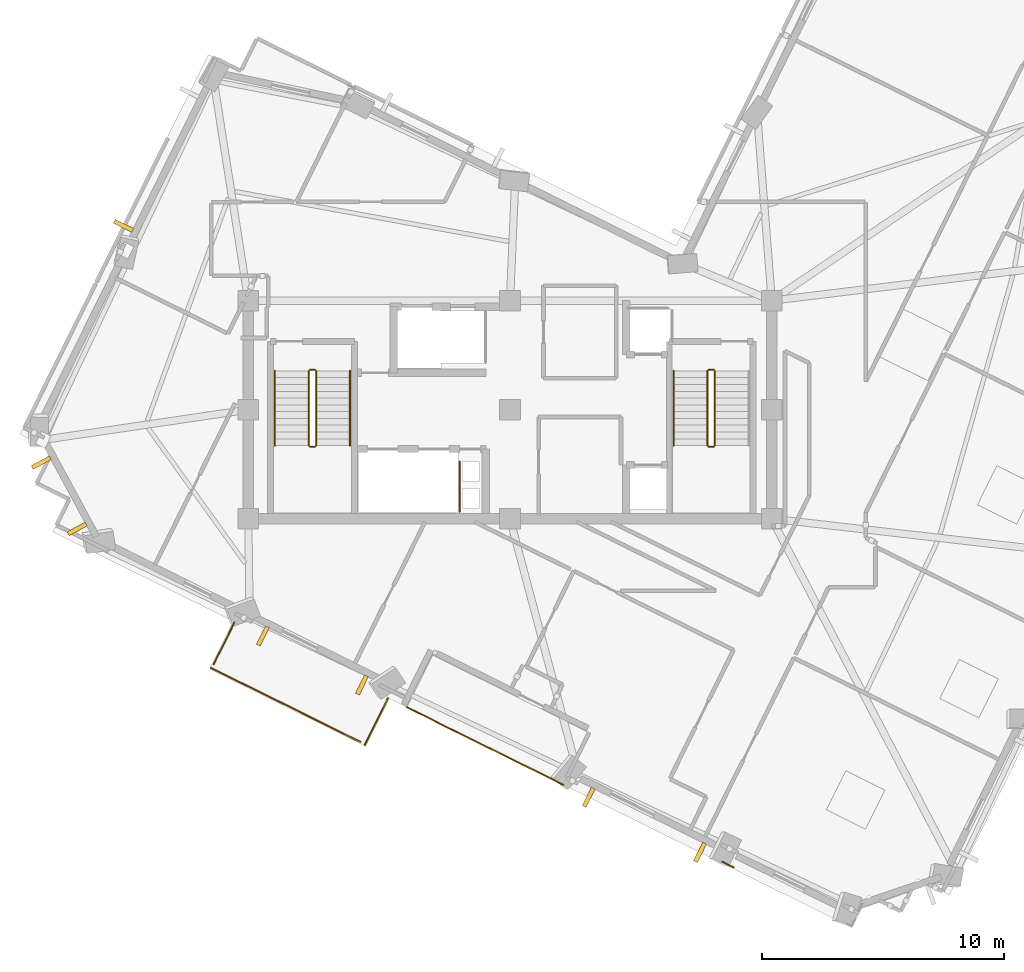
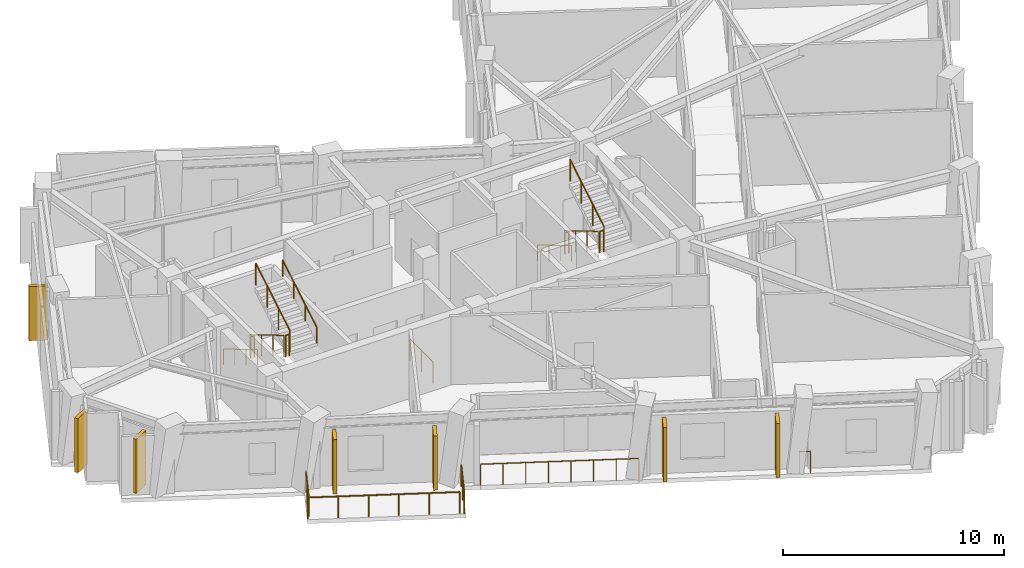
# One storey, part 8 of 11: 17 railings, 7 shading devices.
"""IFC4 building model written with IfcOpenShell, lengths in metres."""

from ifc_helpers import new_model, si_unit, direction, frame, origin, origin_2d, place, context, subcontext, project, spatial, rectangle, circle, extrude, material, layer, layer_set, type_object, element, save


model = new_model("IFC4")

# Units and contexts
model_context = context("Model", 3, precision=1e-05, world=origin(), true_north=direction((0.0, 1.0)))
body_context = subcontext(model_context, "Body", "Model", "MODEL_VIEW")
ifc_project = project(units=[si_unit("LENGTHUNIT", "METRE"), si_unit("AREAUNIT", "SQUARE_METRE"), si_unit("VOLUMEUNIT", "CUBIC_METRE"), si_unit("PLANEANGLEUNIT", "RADIAN"), si_unit("MASSUNIT", "GRAM", prefix="KILO")], contexts=[model_context])

# Site, building, storey
site_placement = place(None, origin())
site = spatial("IfcSite", under=ifc_project, at=site_placement, CompositionType="ELEMENT")
building_placement = place(site_placement, origin())
building = spatial("IfcBuilding", under=site, at=building_placement, Name="Gaonmaruhae Medical Tower", CompositionType="ELEMENT")
storey_placement = place(building_placement, frame((0.0, 0.0, 296.60009765625)))
storey = spatial("IfcBuildingStorey", under=building, at=storey_placement, Name="L71", CompositionType="ELEMENT", Elevation=296.60009765625)

# Railings
ifc_material_1 = material(Name="Stainless steel 316L and laminated safety glass", Category="steel")
ifc_layer = layer(ifc_material_1, 0.080078125)
ifc_layer_set = layer_set([ifc_layer], Name="Stainless steel 316L and laminated safety glass")
railing_type_1 = type_object("IfcRailingType", Name="GD-120 Outdoor Terrace Safety Glass & Steel Balustrade", PredefinedType="BALUSTRADE", material=ifc_layer_set)
railing_1_placement = place(storey_placement, frame((20.544921875, 0.02001953125, 0.0)))
element("IfcRailing", 1, at=railing_1_placement, inside=storey, type_object=railing_type_1, Name="L71 Terrace Safety Guard RL-SLB-L71-TER-04", PredefinedType="BALUSTRADE", context=body_context, shape_type="SweptSolid", body=[
    extrude(circle(Radius=0.02392578125, at=origin_2d()), frame((0.0, 0.0, 1.17578125), z_axis=(0.896095989401, -0.443860313364, 0.0), x_axis=(0.443860313364, 0.896095989401, 0.0)), (0.0, 0.0, 1.0), 7.199951171875),
    extrude(circle(Radius=0.02099609375, at=origin_2d()), origin(), (0.0, 0.0, 1.0), 1.15185546875),
    extrude(circle(Radius=0.02099609375, at=origin_2d()), frame((0.921630859375, -0.45654296875, 0.0)), (0.0, 0.0, 1.0), 1.15185546875),
    extrude(circle(Radius=0.02099609375, at=origin_2d()), frame((1.843505859375, -0.9130859375, 0.0)), (0.0, 0.0, 1.0), 1.15185546875),
    extrude(circle(Radius=0.02099609375, at=origin_2d()), frame((2.76513671875, -1.36962890625, 0.0)), (0.0, 0.0, 1.0), 1.15185546875),
    extrude(circle(Radius=0.02099609375, at=origin_2d()), frame((3.686767578125, -1.826171875, 0.0)), (0.0, 0.0, 1.0), 1.15185546875),
    extrude(circle(Radius=0.02099609375, at=origin_2d()), frame((4.6083984375, -2.28271484375, 0.0)), (0.0, 0.0, 1.0), 1.15185546875),
    extrude(circle(Radius=0.02099609375, at=origin_2d()), frame((5.5302734375, -2.7392578125, 0.0)), (0.0, 0.0, 1.0), 1.15185546875),
    extrude(circle(Radius=0.02099609375, at=origin_2d()), frame((6.451904296875, -3.19580078125, 0.0)), (0.0, 0.0, 1.0), 1.15185546875),
])
railing_2_placement = place(storey_placement, frame((34.02490234375, -6.578857421875, 0.0)))
element("IfcRailing", 2, at=railing_2_placement, inside=storey, type_object=railing_type_1, Name="L71 Perimeter Slab Edge Safety Balustrade 06", PredefinedType="BALUSTRADE", context=body_context, shape_type="SweptSolid", body=[
    extrude(circle(Radius=0.02392578125, at=origin_2d()), frame((0.0, 0.0, 1.17578125), z_axis=(-0.896113339276, 0.44382528451, 0.0), x_axis=(-0.44382528451, -0.896113339276, 0.0)), (0.0, 0.0, 1.0), 0.519287109375),
    extrude(circle(Radius=0.02099609375, at=origin_2d()), origin(), (0.0, 0.0, 1.0), 1.15185546875),
    extrude(circle(Radius=0.02099609375, at=origin_2d()), frame((-0.46533203125, 0.23046875, 0.0)), (0.0, 0.0, 1.0), 1.15185546875),
])
railing_3_placement = place(storey_placement, frame((19.75634765625, 0.38818359375, 0.0)))
element("IfcRailing", 3, at=railing_3_placement, inside=storey, type_object=railing_type_1, Name="L71 Perimeter Slab Edge Safety Balustrade 07", PredefinedType="BALUSTRADE", context=body_context, shape_type="SweptSolid", body=[
    extrude(circle(Radius=0.02392578125, at=origin_2d()), frame((0.0, 0.0, 1.17578125), z_axis=(-0.443864808989, -0.896093762584, 0.0), x_axis=(0.896093762584, -0.443864808989, 0.0)), (0.0, 0.0, 1.0), 2.159912109375),
    extrude(circle(Radius=0.02099609375, at=origin_2d()), origin(), (0.0, 0.0, 1.0), 1.15185546875),
    extrude(circle(Radius=0.02099609375, at=origin_2d()), frame((-0.4794921875, -0.9677734375, 0.0)), (0.0, 0.0, 1.0), 1.15185546875),
    extrude(circle(Radius=0.02099609375, at=origin_2d()), frame((-0.958740234375, -1.935546875, 0.0)), (0.0, 0.0, 1.0), 1.15185546875),
])
railing_4_placement = place(storey_placement, frame((18.631591796875, -1.409423828125, 0.0)))
element("IfcRailing", 4, at=railing_4_placement, inside=storey, type_object=railing_type_1, Name="L71 Perimeter Slab Edge Safety Balustrade 08", PredefinedType="BALUSTRADE", context=body_context, shape_type="SweptSolid", body=[
    extrude(circle(Radius=0.02392578125, at=origin_2d()), frame((0.0, 0.0, 1.17578125), z_axis=(-0.89609099694, 0.443870392348, 0.0), x_axis=(-0.443870392348, -0.89609099694, 0.0)), (0.0, 0.0, 1.0), 6.900146484375),
    extrude(circle(Radius=0.02099609375, at=origin_2d()), origin(), (0.0, 0.0, 1.0), 1.15185546875),
    extrude(circle(Radius=0.02099609375, at=origin_2d()), frame((-1.236572265625, 0.612548828125, 0.0)), (0.0, 0.0, 1.0), 1.15185546875),
    extrude(circle(Radius=0.02099609375, at=origin_2d()), frame((-2.47314453125, 1.22509765625, 0.0)), (0.0, 0.0, 1.0), 1.15185546875),
    extrude(circle(Radius=0.02099609375, at=origin_2d()), frame((-3.7099609375, 1.837646484375, 0.0)), (0.0, 0.0, 1.0), 1.15185546875),
    extrude(circle(Radius=0.02099609375, at=origin_2d()), frame((-4.946533203125, 2.4501953125, 0.0)), (0.0, 0.0, 1.0), 1.15185546875),
    extrude(circle(Radius=0.02099609375, at=origin_2d()), frame((-6.18310546875, 3.062744140625, 0.0)), (0.0, 0.0, 1.0), 1.15185546875),
])
railing_5_placement = place(storey_placement, frame((12.576904296875, 1.7998046875, 0.0)))
element("IfcRailing", 5, at=railing_5_placement, inside=storey, type_object=railing_type_1, Name="L71 Perimeter Slab Edge Safety Balustrade 09", PredefinedType="BALUSTRADE", context=body_context, shape_type="SweptSolid", body=[
    extrude(circle(Radius=0.02392578125, at=origin_2d()), frame((0.0, 0.0, 1.17578125), z_axis=(0.443907285914, 0.896072721107, 0.0), x_axis=(-0.896072721107, 0.443907285914, 0.0)), (0.0, 0.0, 1.0), 1.921630859375),
    extrude(circle(Radius=0.02099609375, at=origin_2d()), origin(), (0.0, 0.0, 1.0), 1.15185546875),
    extrude(circle(Radius=0.02099609375, at=origin_2d()), frame((0.426513671875, 0.86083984375, 0.0)), (0.0, 0.0, 1.0), 1.15185546875),
    extrude(circle(Radius=0.02099609375, at=origin_2d()), frame((0.85302734375, 1.721923828125, 0.0)), (0.0, 0.0, 1.0), 1.15185546875),
])
ifc_material_2 = material(Name="Stainless steel 304 handrail", Category="steel")
railing_type_2 = type_object("IfcRailingType", Name="HR-092 Continuous Stainless Steel Stair Handrail", PredefinedType="HANDRAIL", material=ifc_material_2)
railing_6_placement = place(storey_placement, frame((15.10009765625, 13.89990234375, 0.16650390625)))
element("IfcRailing", 6, at=railing_6_placement, inside=storey, type_object=railing_type_2, Name="L71 ST-01 stair handrail 1", PredefinedType="HANDRAIL", context=body_context, shape_type="SweptSolid", body=[
    extrude(circle(Radius=0.02392578125, at=origin_2d()), frame((0.0, 0.0, 0.8759765625), z_axis=(0.0, -0.859260807169, 0.511537745687), x_axis=(1.0, 0.0, 0.0)), (0.0, 0.0, 1.0), 3.584228515625),
    extrude(circle(Radius=0.02099609375, at=origin_2d()), origin(), (0.0, 0.0, 1.0), 0.851806640625),
    extrude(circle(Radius=0.02099609375, at=origin_2d()), frame((0.0, -1.026611328125, 0.611083984375)), (0.0, 0.0, 1.0), 0.851806640625),
    extrude(circle(Radius=0.02099609375, at=origin_2d()), frame((0.0, -2.05322265625, 1.222412109375)), (0.0, 0.0, 1.0), 0.851806640625),
    extrude(circle(Radius=0.02099609375, at=origin_2d()), frame((0.0, -3.079833984375, 1.83349609375)), (0.0, 0.0, 1.0), 0.851806640625),
])
railing_7_placement = place(storey_placement, frame((18.199951171875, 10.820068359375, 2.16650390625)))
element("IfcRailing", 7, at=railing_7_placement, inside=storey, type_object=railing_type_2, Name="L71 ST-01 stair handrail 2", PredefinedType="HANDRAIL", context=body_context, shape_type="SweptSolid", body=[
    extrude(circle(Radius=0.02392578125, at=origin_2d()), frame((0.0, 0.0, 0.8759765625), z_axis=(0.0, 0.859260807169, 0.511537745687), x_axis=(-1.0, 0.0, 0.0)), (0.0, 0.0, 1.0), 3.584228515625),
    extrude(circle(Radius=0.02099609375, at=origin_2d()), origin(), (0.0, 0.0, 1.0), 0.851806640625),
    extrude(circle(Radius=0.02099609375, at=origin_2d()), frame((0.0, 1.026611328125, 0.611083984375)), (0.0, 0.0, 1.0), 0.851806640625),
    extrude(circle(Radius=0.02099609375, at=origin_2d()), frame((0.0, 2.05322265625, 1.222412109375)), (0.0, 0.0, 1.0), 0.851806640625),
    extrude(circle(Radius=0.02099609375, at=origin_2d()), frame((0.0, 3.079833984375, 1.83349609375)), (0.0, 0.0, 1.0), 0.851806640625),
])
railing_8_placement = place(storey_placement, frame((31.550048828125, 13.89990234375, 0.16650390625)))
element("IfcRailing", 8, at=railing_8_placement, inside=storey, type_object=railing_type_2, Name="L71 ST-02 stair handrail 1", PredefinedType="HANDRAIL", context=body_context, shape_type="SweptSolid", body=[
    extrude(circle(Radius=0.02392578125, at=origin_2d()), frame((0.0, 0.0, 0.8759765625), z_axis=(0.0, -0.859260807169, 0.511537745687), x_axis=(1.0, 0.0, 0.0)), (0.0, 0.0, 1.0), 3.584228515625),
    extrude(circle(Radius=0.02099609375, at=origin_2d()), origin(), (0.0, 0.0, 1.0), 0.851806640625),
    extrude(circle(Radius=0.02099609375, at=origin_2d()), frame((0.0, -1.026611328125, 0.611083984375)), (0.0, 0.0, 1.0), 0.851806640625),
    extrude(circle(Radius=0.02099609375, at=origin_2d()), frame((0.0, -2.05322265625, 1.222412109375)), (0.0, 0.0, 1.0), 0.851806640625),
    extrude(circle(Radius=0.02099609375, at=origin_2d()), frame((0.0, -3.079833984375, 1.83349609375)), (0.0, 0.0, 1.0), 0.851806640625),
])

# Shading devices
ifc_material_3 = material(Name="Pigmented coral precast concrete C45/55", Category="concrete")
shading_device_type = type_object("IfcShadingDeviceType", Name="SD-FIN1 Tower Vertical Coral Precast Shading Fin", PredefinedType="USERDEFINED", material=ifc_material_3)
for number, where, z_axis, x_axis, name in (
    (9, (8.85302734375, 19.886962890625, 0.13232421875), (0.0, 0.0, 1.0), (0.443853354011, 0.896099436521, 0.0), "L71 Vertical Coral Precast Shading Fin N01"),
    (10, (6.941162109375, 7.382080078125, 0.13232421875), (0.0, 0.0, 1.0), (-0.476115423308, 0.879382797016, 0.0), "L71 Vertical Coral Precast Shading Fin N03"),
    (11, (5.461181640625, 10.115234375, 0.13232421875), (0.0, 0.0, 1.0), (-0.476115423308, 0.879382797016, 0.0), "L71 Vertical Coral Precast Shading Fin N03B"),
    (12, (18.6923828125, 0.943115234375, 0.122314453125), (0.0, 0.0, 1.0), (-0.896099436521, 0.443853354011, 0.0), "L71 Vertical Coral Precast Shading Fin W02"),
    (13, (14.605712890625, 2.96728515625, 0.122314453125), (0.0, 0.0, 1.0), (-0.896099436521, 0.443853354011, 0.0), "L71 Vertical Coral Precast Shading Fin W02B"),
    (14, (32.640625, -5.9658203125, 0.122314453125), (0.0, 0.0, 1.0), (-0.896099436521, 0.443853354011, 0.0), "L71 Vertical Coral Precast Shading Fin W04"),
    (15, (28.048095703125, -3.691162109375, 0.122314453125), (0.0, 0.0, 1.0), (-0.896099436521, 0.443853354011, 0.0), "L71 Vertical Coral Precast Shading Fin W04B"),
):
    element("IfcShadingDevice", number, at=place(storey_placement, frame(where, z_axis=z_axis, x_axis=x_axis)), inside=storey, type_object=shading_device_type, Name=name, ObjectType="FIN", PredefinedType="USERDEFINED", context=body_context, shape_type="SweptSolid", body=[
        extrude(rectangle(XDim=0.179931640625, YDim=0.85009765625, at=origin_2d()), origin(), (0.0, 0.0, 1.0), 3.0),
    ])

# Railings
ifc_material_4 = material(Name="Stainless steel 304 balustrade", Category="steel")
railing_type_3 = type_object("IfcRailingType", Name="SG-112 Stair Well & Ramp Void Safety Balustrade", PredefinedType="BALUSTRADE", material=ifc_material_4)
railing_9_placement = place(storey_placement, frame((16.5, 13.89990234375, 0.16650390625)))
element("IfcRailing", 16, at=railing_9_placement, inside=storey, type_object=railing_type_3, Name="L71 ST-01 stair guard 1", PredefinedType="BALUSTRADE", context=body_context, shape_type="SweptSolid", body=[
    extrude(circle(Radius=0.02392578125, at=origin_2d()), frame((0.0, 0.0, 1.17578125), z_axis=(0.0, -0.859260807169, 0.511537745687), x_axis=(1.0, 0.0, 0.0)), (0.0, 0.0, 1.0), 3.584228515625),
    extrude(circle(Radius=0.02099609375, at=origin_2d()), origin(), (0.0, 0.0, 1.0), 1.15185546875),
    extrude(circle(Radius=0.02099609375, at=origin_2d()), frame((0.0, -1.026611328125, 0.611083984375)), (0.0, 0.0, 1.0), 1.15185546875),
    extrude(circle(Radius=0.02099609375, at=origin_2d()), frame((0.0, -2.05322265625, 1.222412109375)), (0.0, 0.0, 1.0), 1.15185546875),
    extrude(circle(Radius=0.02099609375, at=origin_2d()), frame((0.0, -3.079833984375, 1.83349609375)), (0.0, 0.0, 1.0), 1.15185546875),
])
railing_10_placement = place(storey_placement, frame((16.550048828125, 10.77001953125, 2.0)))
element("IfcRailing", 17, at=railing_10_placement, inside=storey, type_object=railing_type_3, Name="L71 ST-01 stair guard 2", PredefinedType="BALUSTRADE", context=body_context, shape_type="SweptSolid", body=[
    extrude(circle(Radius=0.02392578125, at=origin_2d()), frame((0.0, 0.0, 1.17578125), z_axis=(1.0, 0.0, 0.0), x_axis=(0.0, 1.0, 0.0)), (0.0, 0.0, 1.0), 0.199951171875),
    extrude(circle(Radius=0.02099609375, at=origin_2d()), origin(), (0.0, 0.0, 1.0), 1.15185546875),
    extrude(circle(Radius=0.02099609375, at=origin_2d()), frame((0.199951171875, 0.0, 0.0)), (0.0, 0.0, 1.0), 1.15185546875),
])
railing_11_placement = place(storey_placement, frame((16.800048828125, 10.820068359375, 2.16650390625)))
element("IfcRailing", 18, at=railing_11_placement, inside=storey, type_object=railing_type_3, Name="L71 ST-01 stair guard 3", PredefinedType="BALUSTRADE", context=body_context, shape_type="SweptSolid", body=[
    extrude(circle(Radius=0.02392578125, at=origin_2d()), frame((0.0, 0.0, 1.17578125), z_axis=(0.0, 0.859260807169, 0.511537745687), x_axis=(-1.0, 0.0, 0.0)), (0.0, 0.0, 1.0), 3.584228515625),
    extrude(circle(Radius=0.02099609375, at=origin_2d()), origin(), (0.0, 0.0, 1.0), 1.15185546875),
    extrude(circle(Radius=0.02099609375, at=origin_2d()), frame((0.0, 1.026611328125, 0.611083984375)), (0.0, 0.0, 1.0), 1.15185546875),
    extrude(circle(Radius=0.02099609375, at=origin_2d()), frame((0.0, 2.05322265625, 1.222412109375)), (0.0, 0.0, 1.0), 1.15185546875),
    extrude(circle(Radius=0.02099609375, at=origin_2d()), frame((0.0, 3.079833984375, 1.83349609375)), (0.0, 0.0, 1.0), 1.15185546875),
])
railing_12_placement = place(storey_placement, frame((16.550048828125, 13.949951171875, 0.0)))
element("IfcRailing", 19, at=railing_12_placement, inside=storey, type_object=railing_type_3, Name="L71 ST-01 stair guard 4", PredefinedType="BALUSTRADE", context=body_context, shape_type="SweptSolid", body=[
    extrude(circle(Radius=0.02392578125, at=origin_2d()), frame((0.0, 0.0, 1.17578125), z_axis=(1.0, 0.0, 0.0), x_axis=(0.0, 1.0, 0.0)), (0.0, 0.0, 1.0), 0.199951171875),
    extrude(circle(Radius=0.02099609375, at=origin_2d()), origin(), (0.0, 0.0, 1.0), 1.15185546875),
    extrude(circle(Radius=0.02099609375, at=origin_2d()), frame((0.199951171875, 0.0, 0.0)), (0.0, 0.0, 1.0), 1.15185546875),
])
railing_13_placement = place(storey_placement, frame((32.949951171875, 13.89990234375, 0.16650390625)))
element("IfcRailing", 20, at=railing_13_placement, inside=storey, type_object=railing_type_3, Name="L71 ST-02 stair guard 1", PredefinedType="BALUSTRADE", context=body_context, shape_type="SweptSolid", body=[
    extrude(circle(Radius=0.02392578125, at=origin_2d()), frame((0.0, 0.0, 1.17578125), z_axis=(0.0, -0.859260807169, 0.511537745687), x_axis=(1.0, 0.0, 0.0)), (0.0, 0.0, 1.0), 3.584228515625),
    extrude(circle(Radius=0.02099609375, at=origin_2d()), origin(), (0.0, 0.0, 1.0), 1.15185546875),
    extrude(circle(Radius=0.02099609375, at=origin_2d()), frame((0.0, -1.026611328125, 0.611083984375)), (0.0, 0.0, 1.0), 1.15185546875),
    extrude(circle(Radius=0.02099609375, at=origin_2d()), frame((0.0, -2.05322265625, 1.222412109375)), (0.0, 0.0, 1.0), 1.15185546875),
    extrude(circle(Radius=0.02099609375, at=origin_2d()), frame((0.0, -3.079833984375, 1.83349609375)), (0.0, 0.0, 1.0), 1.15185546875),
])
railing_14_placement = place(storey_placement, frame((33.0, 10.77001953125, 2.0)))
element("IfcRailing", 21, at=railing_14_placement, inside=storey, type_object=railing_type_3, Name="L71 ST-02 stair guard 2", PredefinedType="BALUSTRADE", context=body_context, shape_type="SweptSolid", body=[
    extrude(circle(Radius=0.02392578125, at=origin_2d()), frame((0.0, 0.0, 1.17578125), z_axis=(1.0, 0.0, 0.0), x_axis=(0.0, 1.0, 0.0)), (0.0, 0.0, 1.0), 0.199951171875),
    extrude(circle(Radius=0.02099609375, at=origin_2d()), origin(), (0.0, 0.0, 1.0), 1.15185546875),
    extrude(circle(Radius=0.02099609375, at=origin_2d()), frame((0.199951171875, 0.0, 0.0)), (0.0, 0.0, 1.0), 1.15185546875),
])
railing_15_placement = place(storey_placement, frame((33.25, 10.820068359375, 2.16650390625)))
element("IfcRailing", 22, at=railing_15_placement, inside=storey, type_object=railing_type_3, Name="L71 ST-02 stair guard 3", PredefinedType="BALUSTRADE", context=body_context, shape_type="SweptSolid", body=[
    extrude(circle(Radius=0.02392578125, at=origin_2d()), frame((0.0, 0.0, 1.17578125), z_axis=(0.0, 0.859260807169, 0.511537745687), x_axis=(-1.0, 0.0, 0.0)), (0.0, 0.0, 1.0), 3.584228515625),
    extrude(circle(Radius=0.02099609375, at=origin_2d()), origin(), (0.0, 0.0, 1.0), 1.15185546875),
    extrude(circle(Radius=0.02099609375, at=origin_2d()), frame((0.0, 1.026611328125, 0.611083984375)), (0.0, 0.0, 1.0), 1.15185546875),
    extrude(circle(Radius=0.02099609375, at=origin_2d()), frame((0.0, 2.05322265625, 1.222412109375)), (0.0, 0.0, 1.0), 1.15185546875),
    extrude(circle(Radius=0.02099609375, at=origin_2d()), frame((0.0, 3.079833984375, 1.83349609375)), (0.0, 0.0, 1.0), 1.15185546875),
])
railing_16_placement = place(storey_placement, frame((33.0, 13.949951171875, 0.0)))
element("IfcRailing", 23, at=railing_16_placement, inside=storey, type_object=railing_type_3, Name="L71 ST-02 stair guard 4", PredefinedType="BALUSTRADE", context=body_context, shape_type="SweptSolid", body=[
    extrude(circle(Radius=0.02392578125, at=origin_2d()), frame((0.0, 0.0, 1.17578125), z_axis=(1.0, 0.0, 0.0), x_axis=(0.0, 1.0, 0.0)), (0.0, 0.0, 1.0), 0.199951171875),
    extrude(circle(Radius=0.02099609375, at=origin_2d()), origin(), (0.0, 0.0, 1.0), 1.15185546875),
    extrude(circle(Radius=0.02099609375, at=origin_2d()), frame((0.199951171875, 0.0, 0.0)), (0.0, 0.0, 1.0), 1.15185546875),
])
railing_17_placement = place(storey_placement, frame((22.719970703125, 10.159912109375, 0.0)))
element("IfcRailing", 24, at=railing_17_placement, inside=storey, type_object=railing_type_3, Name="L71 Shaft Edge Safety Guard 11", PredefinedType="BALUSTRADE", context=body_context, shape_type="SweptSolid", body=[
    extrude(circle(Radius=0.02392578125, at=origin_2d()), frame((0.0, 0.0, 1.17578125), z_axis=(0.0, -1.0, 0.0), x_axis=(1.0, 0.0, 0.0)), (0.0, 0.0, 1.0), 2.06494140625),
    extrude(circle(Radius=0.02099609375, at=origin_2d()), origin(), (0.0, 0.0, 1.0), 1.15185546875),
    extrude(circle(Radius=0.02099609375, at=origin_2d()), frame((0.0, -1.032470703125, 0.0)), (0.0, 0.0, 1.0), 1.15185546875),
    extrude(circle(Radius=0.02099609375, at=origin_2d()), frame((0.0, -2.06494140625, 0.0)), (0.0, 0.0, 1.0), 1.15185546875),
])

save(model, "model.ifc")
